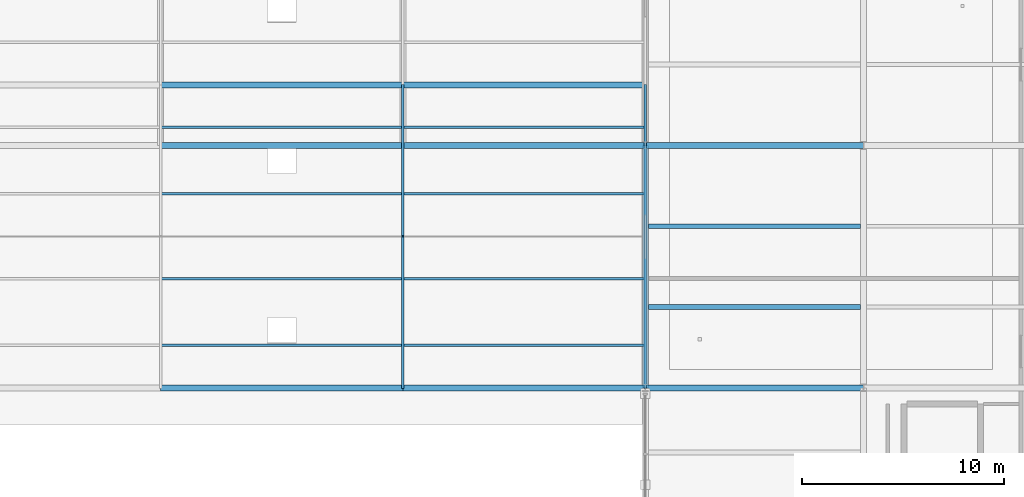
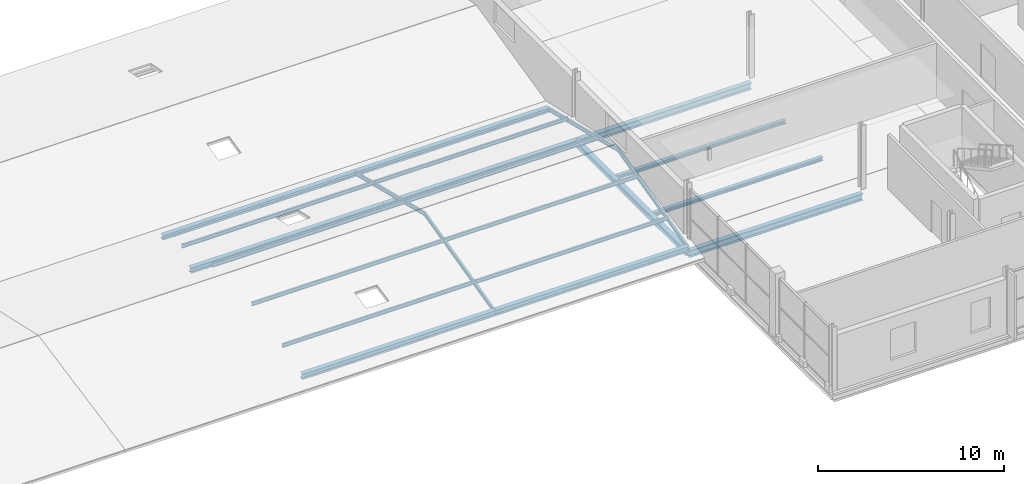
# One storey, part 76 of 117: 12 members, 11 beams.
"""IFC4 building model written with IfcOpenShell, lengths in metres."""

import ifcopenshell
import ifcopenshell.guid

model = None  # the IFC model being written
_history = None  # IfcOwnerHistory: only IFC2X3 demands one
_inside = {}  # id of a spatial element -> (the spatial element, [elements in it])
_under = {}  # id of a project, library or spatial element -> (it, [spatial elements below it])
_declared = {}  # id of a project -> (the project, [libraries it declares])
_typed = {}  # id of a type object -> (the type object, [elements of that type])
_made_of = {}  # id of a material, layer set ... -> (it, [elements and type objects made of it])


def new_model(schema):
    """Start an empty IFC model of exactly this schema.

    Asked for "IFC4X3", IfcOpenShell would pick the latest addendum, in which some entities
    have other attributes; the version numbers below select the first issue.
    IFC2X3 requires an IfcOwnerHistory on every rooted entity: one is made here for all.
    """
    global model, _history
    if schema == "IFC4X3":
        model = ifcopenshell.file(schema_version=(4, 3, 0, 0))
    else:
        model = ifcopenshell.file(schema=schema)
    _inside.clear()
    _under.clear()
    _declared.clear()
    _typed.clear()
    _made_of.clear()
    _history = None
    if model.schema == "IFC2X3":
        org = make("IfcOrganization", Name="unknown")
        user = make(
            "IfcPersonAndOrganization",
            ThePerson=make("IfcPerson", FamilyName="unknown"),
            TheOrganization=org,
        )
        app = make(
            "IfcApplication",
            ApplicationDeveloper=org,
            Version="unknown",
            ApplicationFullName="unknown",
            ApplicationIdentifier="unknown",
        )
        _history = make(
            "IfcOwnerHistory",
            OwningUser=user,
            OwningApplication=app,
            ChangeAction="ADDED",
            CreationDate=0,
        )
    return model


def make(cls, **values):
    """One entity of the class cls with the attributes given. An attribute that is None is left unset."""
    return model.create_entity(
        cls, **{name: value for name, value in values.items() if value is not None}
    )


def rooted(cls, **values):
    """An entity with a GlobalId (a new one), such as an element, a storey or a relation."""
    return make(cls, GlobalId=ifcopenshell.guid.new(), OwnerHistory=_history, **values)


def si_unit(unit_type, name, prefix=None):
    """IfcSIUnit, for example si_unit("LENGTHUNIT", "METRE", prefix="MILLI")."""
    return make("IfcSIUnit", UnitType=unit_type, Prefix=prefix, Name=name)


def assignment(units):
    """IfcUnitAssignment: the units of a project."""
    return None if units is None else make("IfcUnitAssignment", Units=units)


def point(xyz):
    """IfcCartesianPoint."""
    return None if xyz is None else make("IfcCartesianPoint", Coordinates=xyz)


def direction(xyz):
    """IfcDirection."""
    return None if xyz is None else make("IfcDirection", DirectionRatios=xyz)


def frame(location, z_axis=None, x_axis=None):
    """IfcAxis2Placement3D, a coordinate frame: its origin and axes. An axis left out is left unset."""
    return make(
        "IfcAxis2Placement3D",
        Location=point(location),
        Axis=direction(z_axis),
        RefDirection=direction(x_axis),
    )


def frame_2d(location, x_axis=None):
    """IfcAxis2Placement2D, a coordinate frame in the plane: its origin and x axis."""
    return make(
        "IfcAxis2Placement2D", Location=point(location), RefDirection=direction(x_axis)
    )


def origin():
    """The frame at (0, 0, 0) with its axes left unset."""
    return frame((0.0, 0.0, 0.0))


def origin_2d():
    """The frame at (0, 0) in the plane with its x axis left unset."""
    return frame_2d((0.0, 0.0))


def place(relative_to, where):
    """IfcLocalPlacement: puts the frame where relative to a parent placement (None: the world)."""
    return make(
        "IfcLocalPlacement", PlacementRelTo=relative_to, RelativePlacement=where
    )


def context(
    kind, dimensions, precision=None, world=None, true_north=None, identifier=None
):
    """IfcGeometricRepresentationContext, for example the 3D "Model" context."""
    return make(
        "IfcGeometricRepresentationContext",
        ContextIdentifier=identifier,
        ContextType=kind,
        CoordinateSpaceDimension=dimensions,
        Precision=precision,
        WorldCoordinateSystem=world,
        TrueNorth=true_north,
    )


def subcontext(parent, identifier, kind, view, scale=None):
    """IfcGeometricRepresentationSubContext, for example "Body" below "Model"."""
    return make(
        "IfcGeometricRepresentationSubContext",
        ContextIdentifier=identifier,
        ContextType=kind,
        ParentContext=parent,
        TargetScale=scale,
        TargetView=view,
    )


def project(units=None, contexts=None):
    """IfcProject with its units and contexts."""
    return rooted(
        "IfcProject",
        Name="project",
        RepresentationContexts=contexts,
        UnitsInContext=assignment(units),
    )


def spatial(cls, under=None, at=None, **own):
    """A site, building, storey or space (cls), placed at a placement, below another one or the project."""
    s = rooted(cls, ObjectPlacement=at, **own)
    if under is not None:
        _under.setdefault(under.id(), (under, []))[1].append(s)
    return s


def profile(cls, at=None, kind="AREA", **sizes):
    """A parametric profile (cls). Its sizes go by their IFC names, for example OverallWidth=200.0."""
    return make(cls, ProfileType=kind, Position=at, **sizes)


def i_section(**sizes):
    """IfcIShapeProfileDef."""
    return profile("IfcIShapeProfileDef", **sizes)


def extrude(swept, where, along, depth):
    """IfcExtrudedAreaSolid: the profile swept, set in the frame where, extruded along a direction by depth."""
    return make(
        "IfcExtrudedAreaSolid",
        SweptArea=swept,
        Position=where,
        ExtrudedDirection=direction(along),
        Depth=depth,
    )


def shape(context_of_items, identifier, shape_type, items):
    """IfcShapeRepresentation: the items that make up one representation, for example the "Body"."""
    return make(
        "IfcShapeRepresentation",
        ContextOfItems=context_of_items,
        RepresentationIdentifier=identifier,
        RepresentationType=shape_type,
        Items=items,
    )


def material(Name=None, Category=None):
    """IfcMaterial."""
    return make("IfcMaterial", Name=Name, Category=Category)


def material_profile(
    of_material, cross_section, Name=None, Category=None, Priority=None
):
    """IfcMaterialProfile: a cross section and its material."""
    return make(
        "IfcMaterialProfile",
        Name=Name,
        Material=of_material,
        Profile=cross_section,
        Priority=Priority,
        Category=Category,
    )


def profile_set(profiles, Name=None, composite=None):
    """IfcMaterialProfileSet."""
    return make(
        "IfcMaterialProfileSet",
        Name=Name,
        MaterialProfiles=profiles,
        CompositeProfile=composite,
    )


def made_of(thing, what):
    """Note that an element or type object is made of a material, layer set ...; save() writes the relation."""
    if what is not None:
        _made_of.setdefault(what.id(), (what, []))[1].append(thing)
    return thing


def type_object(cls, material=None, **own):
    """A type object (cls), such as IfcWallType, which elements share."""
    return made_of(rooted(cls, **own), material)


def element(
    cls,
    number,
    at=None,
    inside=None,
    cuts=None,
    type_object=None,
    material=None,
    context=None,
    identifier="Body",
    shape_type=None,
    held_by="IfcProductDefinitionShape",
    body=None,
    shapes=None,
    **own,
):
    """One element of the class cls, such as IfcWall. Its Tag is "e" and its number.

    at: its placement. inside: the storey or other place that contains it. cuts: it is an
    opening in that element (IfcRelVoidsElement). A single representation is given by context,
    identifier, shape_type and body (its items); several are given by shapes. held_by: the class
    of the entity that holds the representations. save() writes the other relations.
    """
    e = rooted(cls, Tag="e%d" % number, ObjectPlacement=at, **own)
    if body is not None:
        shapes = [shape(context, identifier, shape_type, body)]
    if shapes is not None:
        e.Representation = make(held_by, Representations=shapes)
    if inside is not None:
        _inside.setdefault(inside.id(), (inside, []))[1].append(e)
    if cuts is not None:
        rooted(
            "IfcRelVoidsElement", RelatingBuildingElement=cuts, RelatedOpeningElement=e
        )
    if type_object is not None:
        _typed.setdefault(type_object.id(), (type_object, []))[1].append(e)
    return made_of(e, material)


def aggregate(whole, parts):
    """IfcRelAggregates: a whole, such as a stair, and the parts it consists of."""
    return rooted("IfcRelAggregates", RelatingObject=whole, RelatedObjects=parts)


def save(model, path):
    """Write the relations noted so far, then the file.

    IfcRelAggregates (storeys below a building ...), IfcRelContainedInSpatialStructure (elements
    in a storey), IfcRelDefinesByType, IfcRelAssociatesMaterial and IfcRelDeclares: one each for
    every whole, place, type object, material and project.
    """
    for whole, parts in _under.values():
        aggregate(whole, parts)
    for where, things in _inside.values():
        rooted(
            "IfcRelContainedInSpatialStructure",
            RelatedElements=things,
            RelatingStructure=where,
        )
    for kind, things in _typed.values():
        rooted("IfcRelDefinesByType", RelatedObjects=things, RelatingType=kind)
    for what, things in _made_of.values():
        rooted("IfcRelAssociatesMaterial", RelatedObjects=things, RelatingMaterial=what)
    for by, libraries in _declared.values():
        rooted("IfcRelDeclares", RelatingContext=by, RelatedDefinitions=libraries)
    model.write(path)


model = new_model("IFC4")

# Units and contexts
model_context = context("Model", 3, precision=1e-05, world=origin(), true_north=direction((0.0, 1.0)))
body_context = subcontext(model_context, "Body", "Model", "MODEL_VIEW")
ifc_project = project(units=[si_unit("LENGTHUNIT", "METRE"), si_unit("AREAUNIT", "SQUARE_METRE"), si_unit("VOLUMEUNIT", "CUBIC_METRE"), si_unit("PLANEANGLEUNIT", "RADIAN"), si_unit("MASSUNIT", "GRAM", prefix="KILO")], contexts=[model_context])

# Site, building, storey
site_placement = place(None, origin())
site = spatial("IfcSite", under=ifc_project, at=site_placement, CompositionType="ELEMENT")
building_placement = place(site_placement, origin())
building = spatial("IfcBuilding", under=site, at=building_placement, Name="Merenkruunu Market Hall", CompositionType="ELEMENT")
storey_placement = place(building_placement, frame((0.0, 0.0, 10.199951171875)))
storey = spatial("IfcBuildingStorey", under=building, at=storey_placement, Name="L02", CompositionType="ELEMENT", Elevation=10.199951171875)

# Beams
ifc_material_1 = material(Name="Steel S355J2", Category="steel")
ifc_material_profile_1 = material_profile(ifc_material_1, i_section(OverallWidth=0.300048828125, OverallDepth=0.43994140625, WebThickness=0.011474609375, FlangeThickness=0.02099609375, FilletRadius=0.027099609375, at=origin_2d()), Name="HEA 450")
ifc_profile_set_1 = profile_set([ifc_material_profile_1], Name="Steel S355J2")
beam_type_1 = type_object("IfcBeamType", Name="Primary Floor Girder B07", PredefinedType="BEAM", material=ifc_profile_set_1)
for number, where, z_axis, x_axis, name in (
    (1, (148.800048828125, 15.60009765625, -0.530029296875), (1.0, 0.0, 0.0), (0.0, 1.0, 0.0), "BM-L02-B07-0748"),
    (2, (148.800048828125, 27.60009765625, -0.530029296875), (1.0, 0.0, 0.0), (0.0, 1.0, 0.0), "BM-L02-B07-0758"),
):
    element("IfcBeam", number, at=place(storey_placement, frame(where, z_axis=z_axis, x_axis=x_axis)), inside=storey, type_object=beam_type_1, Name=name, PredefinedType="BEAM", context=body_context, shape_type="SweptSolid", body=[
        extrude(i_section(OverallWidth=0.300048828125, OverallDepth=0.43994140625, WebThickness=0.011474609375, FlangeThickness=0.02099609375, FilletRadius=0.027099609375, at=origin_2d()), origin(), (0.0, 0.0, 1.0), 10.800048828125),
    ])
ifc_material_profile_2 = material_profile(ifc_material_1, i_section(OverallWidth=0.300048828125, OverallDepth=0.35009765625, WebThickness=0.010009765625, FlangeThickness=0.017578125, FilletRadius=0.027099609375, at=origin_2d()), Name="HEA 360")
ifc_profile_set_2 = profile_set([ifc_material_profile_2], Name="Steel S355J2")
beam_type_2 = type_object("IfcBeamType", Name="Primary Floor Girder B08", PredefinedType="BEAM", material=ifc_profile_set_2)
for number, where, z_axis, x_axis, name in (
    (3, (148.800048828125, 15.60009765625, -0.48486328125), (0.0, 1.0, 0.0), (-1.0, 0.0, 0.0), "BM-L02-B08-0798"),
    (4, (124.800048828125, 15.60009765625, -0.175048828125), (1.0, 0.0, 0.0), (0.0, 1.0, 0.0), "BM-L02-B08-1204"),
    (5, (124.800048828125, 27.60009765625, -0.48486328125), (1.0, 0.0, 0.0), (0.0, 1.0, 0.0), "BM-L02-B08-1205"),
    (6, (136.800048828125, 15.60009765625, -0.175048828125), (1.0, 0.0, 0.0), (0.0, 1.0, 0.0), "BM-L02-B08-1210"),
    (7, (136.800048828125, 27.60009765625, -0.48486328125), (1.0, 0.0, 0.0), (0.0, 1.0, 0.0), "BM-L02-B08-1211"),
):
    element("IfcBeam", number, at=place(storey_placement, frame(where, z_axis=z_axis, x_axis=x_axis)), inside=storey, type_object=beam_type_2, Name=name, PredefinedType="BEAM", context=body_context, shape_type="SweptSolid", body=[
        extrude(i_section(OverallWidth=0.300048828125, OverallDepth=0.35009765625, WebThickness=0.010009765625, FlangeThickness=0.017578125, FilletRadius=0.027099609375, at=origin_2d()), origin(), (0.0, 0.0, 1.0), 12.0),
    ])
ifc_material_profile_3 = material_profile(ifc_material_1, i_section(OverallWidth=0.300048828125, OverallDepth=0.2900390625, WebThickness=0.008544921875, FlangeThickness=0.013916015625, FilletRadius=0.027099609375, at=origin_2d()), Name="HEA 300")
ifc_profile_set_3 = profile_set([ifc_material_profile_3], Name="Steel S355J2")
beam_type_3 = type_object("IfcBeamType", Name="Primary Floor Girder B09", PredefinedType="BEAM", material=ifc_profile_set_3)
for number, where, z_axis, x_axis, name in (
    (8, (124.800048828125, 30.60009765625, -0.14501953125), (1.0, 0.0, 0.0), (0.0, 1.0, 0.0), "BM-L02-B09-1208"),
    (9, (136.800048828125, 30.60009765625, -0.14501953125), (1.0, 0.0, 0.0), (0.0, 1.0, 0.0), "BM-L02-B09-1214"),
):
    element("IfcBeam", number, at=place(storey_placement, frame(where, z_axis=z_axis, x_axis=x_axis)), inside=storey, type_object=beam_type_3, Name=name, PredefinedType="BEAM", context=body_context, shape_type="SweptSolid", body=[
        extrude(i_section(OverallWidth=0.300048828125, OverallDepth=0.2900390625, WebThickness=0.008544921875, FlangeThickness=0.013916015625, FilletRadius=0.027099609375, at=origin_2d()), origin(), (0.0, 0.0, 1.0), 12.0),
    ])

# Members
ifc_material_2 = material(Name="Steel S355ML", Category="steel")
ifc_material_profile_4 = material_profile(ifc_material_2, i_section(OverallWidth=0.1201171875, OverallDepth=0.239990234375, WebThickness=0.006103515625, FlangeThickness=0.009765625, FilletRadius=0.014892578125, at=origin_2d()), Name="IPE 240")
ifc_profile_set_4 = profile_set([ifc_material_profile_4], Name="Steel S355ML")
member_type = type_object("IfcMemberType", Name="Roof Purlin Rafter PR02", PredefinedType="PURLIN", material=ifc_profile_set_4)
for number, where, z_axis, x_axis, name in (
    (10, (136.800048828125, 15.60009765625, -0.14990234375), (0.0, 0.970601665128, 0.240691519692), (-1.0, 0.0, 0.0), "MEM-V2-RAFT-021"),
    (11, (136.800048828125, 23.10009765625, 1.7099609375), (0.0, 0.970601665128, -0.240691519692), (-1.0, 0.0, 0.0), "MEM-V2-RAFT-022"),
    (12, (148.800048828125, 15.60009765625, -0.14990234375), (0.0, 0.970601665128, 0.240691519692), (-1.0, 0.0, 0.0), "MEM-V2-RAFT-025"),
    (13, (148.800048828125, 23.10009765625, 1.7099609375), (0.0, 0.970601665128, -0.240691519692), (-1.0, 0.0, 0.0), "MEM-V2-RAFT-026"),
):
    element("IfcMember", number, at=place(storey_placement, frame(where, z_axis=z_axis, x_axis=x_axis)), inside=storey, type_object=member_type, Name=name, PredefinedType="PURLIN", context=body_context, shape_type="SweptSolid", body=[
        extrude(i_section(OverallWidth=0.1201171875, OverallDepth=0.239990234375, WebThickness=0.006103515625, FlangeThickness=0.009765625, FilletRadius=0.014892578125, at=origin_2d()), origin(), (0.0, 0.0, 1.0), 7.72705078125),
    ])
for number, where, z_axis, x_axis, name in (
    (14, (124.804931640625, 17.699951171875, 0.529052734375), (1.0, 0.0, 0.0), (0.0, 1.0, 0.0), "MEM-V2-PURL-061"),
    (15, (124.804931640625, 21.0, 1.262939453125), (1.0, 0.0, 0.0), (0.0, 1.0, 0.0), "MEM-V2-PURL-062"),
    (16, (124.804931640625, 25.199951171875, 1.255126953125), (1.0, 0.0, 0.0), (0.0, 1.0, 0.0), "MEM-V2-PURL-063"),
    (17, (124.804931640625, 28.5, 0.507080078125), (1.0, 0.0, 0.0), (0.0, 1.0, 0.0), "MEM-V2-PURL-064"),
    (18, (136.804931640625, 17.699951171875, 0.529052734375), (1.0, 0.0, 0.0), (0.0, 1.0, 0.0), "MEM-V2-PURL-069"),
    (19, (136.804931640625, 21.0, 1.262939453125), (1.0, 0.0, 0.0), (0.0, 1.0, 0.0), "MEM-V2-PURL-070"),
    (20, (136.804931640625, 25.199951171875, 1.255126953125), (1.0, 0.0, 0.0), (0.0, 1.0, 0.0), "MEM-V2-PURL-071"),
    (21, (136.804931640625, 28.5, 0.507080078125), (1.0, 0.0, 0.0), (0.0, 1.0, 0.0), "MEM-V2-PURL-072"),
):
    element("IfcMember", number, at=place(storey_placement, frame(where, z_axis=z_axis, x_axis=x_axis)), inside=storey, type_object=member_type, Name=name, PredefinedType="PURLIN", context=body_context, shape_type="SweptSolid", body=[
        extrude(i_section(OverallWidth=0.1201171875, OverallDepth=0.239990234375, WebThickness=0.006103515625, FlangeThickness=0.009765625, FilletRadius=0.014892578125, at=origin_2d()), origin(), (0.0, 0.0, 1.0), 11.989990234375),
    ])

# Beams
ifc_material_profile_5 = material_profile(ifc_material_1, i_section(OverallWidth=0.239990234375, OverallDepth=0.22998046875, WebThickness=0.007568359375, FlangeThickness=0.011962890625, FilletRadius=0.02099609375, at=origin_2d()), Name="HEA 240")
ifc_profile_set_5 = profile_set([ifc_material_profile_5], Name="Steel S355J2")
beam_type_4 = type_object("IfcBeamType", Name="Secondary Floor Joist J06", PredefinedType="JOIST", material=ifc_profile_set_5)
for number, where, z_axis, x_axis, name in (
    (22, (148.952880859375, 19.60009765625, -0.425048828125), (1.0, 0.0, 0.0), (0.0, 1.0, 0.0), "BM-L02-J06-0838"),
    (23, (148.952880859375, 23.60009765625, -0.425048828125), (1.0, 0.0, 0.0), (0.0, 1.0, 0.0), "BM-L02-J06-0839"),
):
    element("IfcBeam", number, at=place(storey_placement, frame(where, z_axis=z_axis, x_axis=x_axis)), inside=storey, type_object=beam_type_4, Name=name, PredefinedType="JOIST", context=body_context, shape_type="SweptSolid", body=[
        extrude(i_section(OverallWidth=0.239990234375, OverallDepth=0.22998046875, WebThickness=0.007568359375, FlangeThickness=0.011962890625, FilletRadius=0.02099609375, at=origin_2d()), origin(), (0.0, 0.0, 1.0), 10.494140625),
    ])

save(model, "model.ifc")
